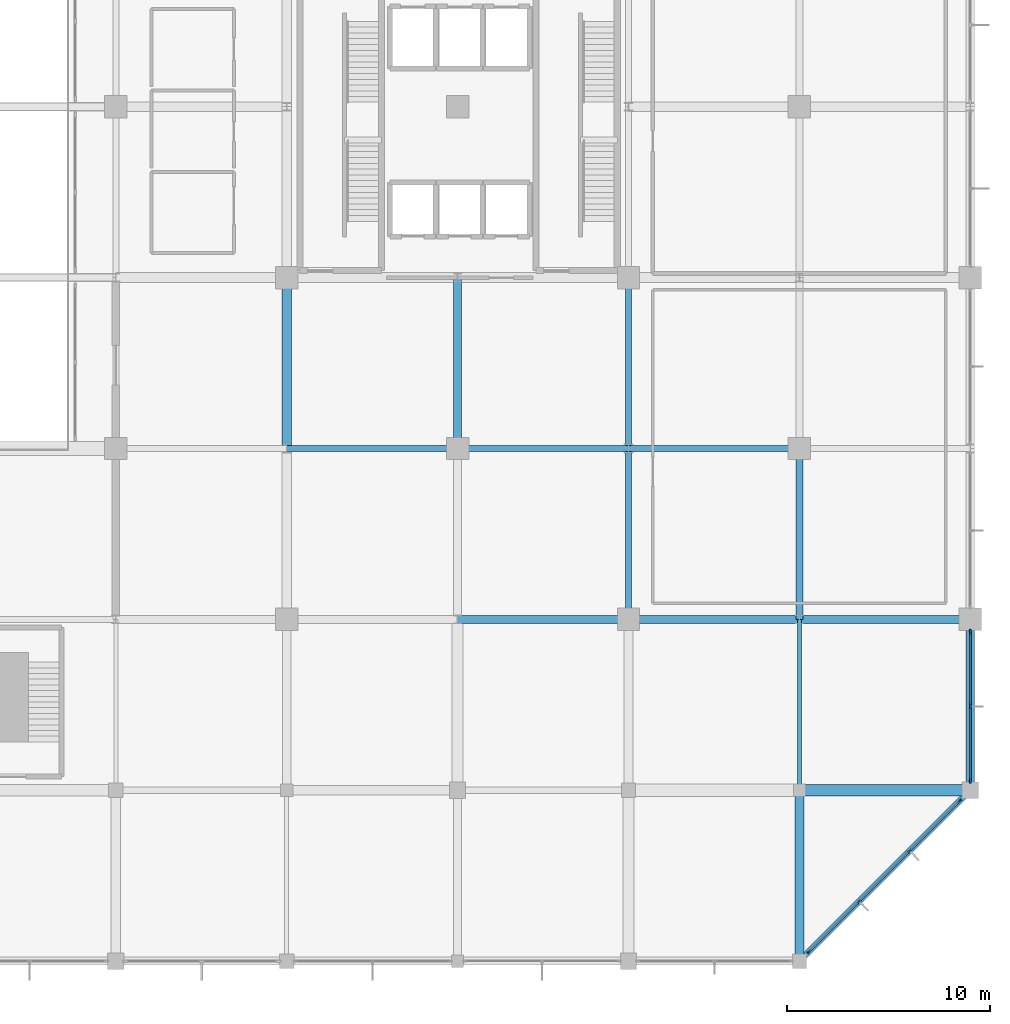
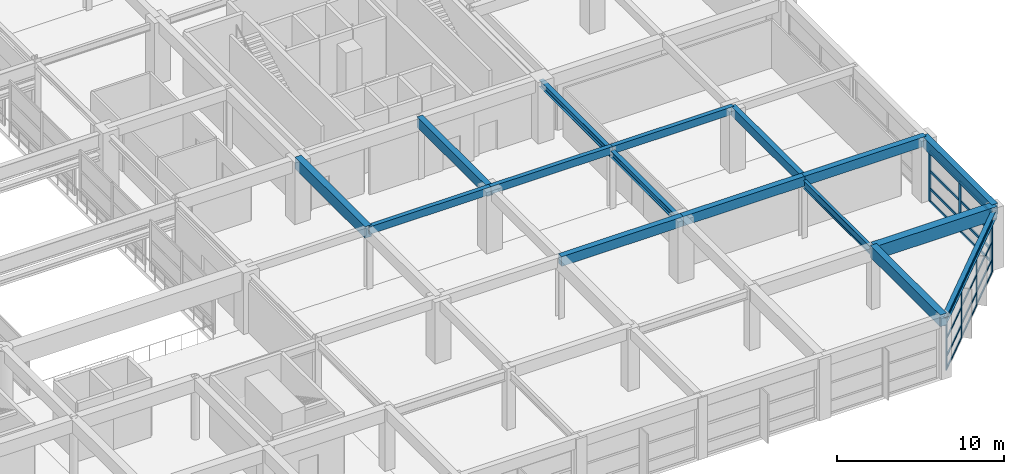
# One storey, part 35 of 62: 27 members, 16 beams, 2 elements without a shape of their own.
"""IFC4 building model written with IfcOpenShell, lengths in metres."""

from ifc_helpers import new_model, si_unit, direction, frame, origin, origin_2d, place, context, subcontext, project, spatial, rectangle, i_section, extrude, material, material_profile, profile_set, type_object, element, aggregate, save


model = new_model("IFC4")

# Units and contexts
model_context = context("Model", 3, precision=1e-05, world=origin(), true_north=direction((0.0, 1.0)))
body_context = subcontext(model_context, "Body", "Model", "MODEL_VIEW")
ifc_project = project(units=[si_unit("LENGTHUNIT", "METRE"), si_unit("AREAUNIT", "SQUARE_METRE"), si_unit("VOLUMEUNIT", "CUBIC_METRE"), si_unit("PLANEANGLEUNIT", "RADIAN"), si_unit("MASSUNIT", "GRAM", prefix="KILO")], contexts=[model_context])

# Site, building, storey
site_placement = place(None, origin())
site = spatial("IfcSite", under=ifc_project, at=site_placement, CompositionType="ELEMENT")
building_placement = place(site_placement, origin())
building = spatial("IfcBuilding", under=site, at=building_placement, Name="Xuanlan Plaza Opera House", CompositionType="ELEMENT")
storey_placement = place(building_placement, frame((0.0, 0.0, 14.39990234375)))
storey = spatial("IfcBuildingStorey", under=building, at=storey_placement, Name="L03", CompositionType="ELEMENT", Elevation=14.39990234375)

# Curtain wall, members
ifc_material_1 = material(Name="Anodised Aluminium 6063-T6 and Low-E Glass", Category="aluminium")
curtain_wall_type_1 = type_object("IfcCurtainWallType", Name="ENV-CW-CW-04", PredefinedType="USERDEFINED", material=ifc_material_1)
curtain_wall_1_placement = place(storey_placement, origin())
curtain_wall_1 = element("IfcCurtainWall", 1, at=curtain_wall_1_placement, inside=storey, type_object=curtain_wall_type_1, Name="Unitised Curtain Wall L03-019", ObjectType="UNITISED CURTAIN WALL", PredefinedType="USERDEFINED")
ifc_material_2 = material(Name="Anodised Aluminium 6063-T6", Category="aluminium")
ifc_material_profile_1 = material_profile(ifc_material_2, rectangle(XDim=0.080078125, YDim=0.219970703125, at=origin_2d()), Name="ALU-M 80x220")
ifc_profile_set_1 = profile_set([ifc_material_profile_1], Name="Anodised Aluminium 6063-T6")
member_type_1 = type_object("IfcMemberType", Name="ENV-CWM-04", PredefinedType="MULLION", material=ifc_profile_set_1)
member_1_placement = place(storey_placement, frame((160.077392578125, 17.27734375, 0.0), z_axis=(0.0, 0.0, 1.0), x_axis=(-0.707106781187, 0.707106781187, 0.0)))
member_1 = element("IfcMember", 2, at=member_1_placement, type_object=member_type_1, Name="CW-04 mullion 1", PredefinedType="MULLION", context=body_context, shape_type="SweptSolid", body=[
    extrude(rectangle(XDim=0.080078125, YDim=0.219970703125, at=origin_2d()), origin(), (0.0, 0.0, 1.0), 3.68017578125),
])
member_2_placement = place(storey_placement, frame((162.532958984375, 19.73291015625, 0.0), z_axis=(0.0, 0.0, 1.0), x_axis=(-0.707106781187, 0.707106781187, 0.0)))
member_2 = element("IfcMember", 3, at=member_2_placement, type_object=member_type_1, Name="CW-04 mullion 2", PredefinedType="MULLION", context=body_context, shape_type="SweptSolid", body=[
    extrude(rectangle(XDim=0.080078125, YDim=0.219970703125, at=origin_2d()), origin(), (0.0, 0.0, 1.0), 3.68017578125),
])
member_3_placement = place(storey_placement, frame((165.01708984375, 22.217041015625, 0.0), z_axis=(0.0, 0.0, 1.0), x_axis=(-0.707106781187, 0.707106781187, 0.0)))
member_3 = element("IfcMember", 4, at=member_3_placement, type_object=member_type_1, Name="CW-04 mullion 3", PredefinedType="MULLION", context=body_context, shape_type="SweptSolid", body=[
    extrude(rectangle(XDim=0.080078125, YDim=0.219970703125, at=origin_2d()), origin(), (0.0, 0.0, 1.0), 3.68017578125),
])
member_4_placement = place(storey_placement, frame((167.47265625, 24.672607421875, 0.0), z_axis=(0.0, 0.0, 1.0), x_axis=(-0.707106781187, 0.707106781187, 0.0)))
member_4 = element("IfcMember", 5, at=member_4_placement, type_object=member_type_1, Name="CW-04 mullion 4", PredefinedType="MULLION", context=body_context, shape_type="SweptSolid", body=[
    extrude(rectangle(XDim=0.080078125, YDim=0.219970703125, at=origin_2d()), origin(), (0.0, 0.0, 1.0), 3.68017578125),
])

curtain_wall_type_2 = type_object("IfcCurtainWallType", Name="ENV-CW-CW-01", PredefinedType="USERDEFINED", material=ifc_material_1)
curtain_wall_2_placement = place(storey_placement, origin())
curtain_wall_2 = element("IfcCurtainWall", 6, at=curtain_wall_2_placement, inside=storey, type_object=curtain_wall_type_2, Name="Unitised Curtain Wall L03-020", ObjectType="UNITISED CURTAIN WALL", PredefinedType="USERDEFINED")
ifc_material_profile_2 = material_profile(ifc_material_2, rectangle(XDim=0.090087890625, YDim=0.25, at=origin_2d()), Name="ALU-M 90x250")
ifc_profile_set_2 = profile_set([ifc_material_profile_2], Name="Anodised Aluminium 6063-T6")
member_type_2 = type_object("IfcMemberType", Name="ENV-CWM-05", PredefinedType="MULLION", material=ifc_profile_set_2)
member_5_placement = place(storey_placement, frame((168.0, 25.6650390625, 0.0), z_axis=(0.0, 0.0, 1.0), x_axis=(-1.0, 0.0, 0.0)))
member_5 = element("IfcMember", 7, at=member_5_placement, type_object=member_type_2, Name="CW-01 mullion 1", PredefinedType="MULLION", context=body_context, shape_type="SweptSolid", body=[
    extrude(rectangle(XDim=0.090087890625, YDim=0.25, at=origin_2d()), origin(), (0.0, 0.0, 1.0), 3.68017578125),
])
member_6_placement = place(storey_placement, frame((168.0, 29.324951171875, 0.0), z_axis=(0.0, 0.0, 1.0), x_axis=(-1.0, 0.0, 0.0)))
member_6 = element("IfcMember", 8, at=member_6_placement, type_object=member_type_2, Name="CW-01 mullion 2", PredefinedType="MULLION", context=body_context, shape_type="SweptSolid", body=[
    extrude(rectangle(XDim=0.090087890625, YDim=0.25, at=origin_2d()), origin(), (0.0, 0.0, 1.0), 3.68017578125),
])
member_7_placement = place(storey_placement, frame((168.0, 32.985107421875, 0.0), z_axis=(0.0, 0.0, 1.0), x_axis=(-1.0, 0.0, 0.0)))
member_7 = element("IfcMember", 9, at=member_7_placement, type_object=member_type_2, Name="CW-01 mullion 3", PredefinedType="MULLION", context=body_context, shape_type="SweptSolid", body=[
    extrude(rectangle(XDim=0.090087890625, YDim=0.25, at=origin_2d()), origin(), (0.0, 0.0, 1.0), 3.68017578125),
])

# Member
ifc_material_profile_3 = material_profile(ifc_material_2, rectangle(XDim=0.074951171875, YDim=0.14990234375, at=origin_2d()), Name="ALU-T 75x150")
ifc_profile_set_3 = profile_set([ifc_material_profile_3], Name="Anodised Aluminium 6063-T6")
member_type_3 = type_object("IfcMemberType", Name="ENV-CWT-03", PredefinedType="USERDEFINED", material=ifc_profile_set_3)
member_8_placement = place(storey_placement, frame((160.10546875, 17.3056640625, 0.03759765625), z_axis=(0.707106781187, 0.707106781187, 0.0), x_axis=(-0.707106781187, 0.707106781187, 0.0)))
member_8 = element("IfcMember", 10, at=member_8_placement, type_object=member_type_3, Name="CW-04 transom 1.1", ObjectType="TRANSOM", PredefinedType="USERDEFINED", context=body_context, shape_type="SweptSolid", body=[
    extrude(rectangle(XDim=0.074951171875, YDim=0.14990234375, at=origin_2d()), origin(), (0.0, 0.0, 1.0), 3.392822265625),
])

member_9_placement = place(storey_placement, frame((160.10546875, 17.3056640625, 0.9501953125), z_axis=(0.707106781187, 0.707106781187, 0.0), x_axis=(-0.707106781187, 0.707106781187, 0.0)))
member_9 = element("IfcMember", 11, at=member_9_placement, type_object=member_type_3, Name="CW-04 transom 1.2", ObjectType="TRANSOM", PredefinedType="USERDEFINED", context=body_context, shape_type="SweptSolid", body=[
    extrude(rectangle(XDim=0.074951171875, YDim=0.14990234375, at=origin_2d()), origin(), (0.0, 0.0, 1.0), 3.392822265625),
])

member_10_placement = place(storey_placement, frame((160.10546875, 17.3056640625, 2.25), z_axis=(0.707106781187, 0.707106781187, 0.0), x_axis=(-0.707106781187, 0.707106781187, 0.0)))
member_10 = element("IfcMember", 12, at=member_10_placement, type_object=member_type_3, Name="CW-04 transom 1.3", ObjectType="TRANSOM", PredefinedType="USERDEFINED", context=body_context, shape_type="SweptSolid", body=[
    extrude(rectangle(XDim=0.074951171875, YDim=0.14990234375, at=origin_2d()), origin(), (0.0, 0.0, 1.0), 3.392822265625),
])

member_11_placement = place(storey_placement, frame((160.10546875, 17.3056640625, 3.642578125), z_axis=(0.707106781187, 0.707106781187, 0.0), x_axis=(-0.707106781187, 0.707106781187, 0.0)))
member_11 = element("IfcMember", 13, at=member_11_placement, type_object=member_type_3, Name="CW-04 transom 1.4", ObjectType="TRANSOM", PredefinedType="USERDEFINED", context=body_context, shape_type="SweptSolid", body=[
    extrude(rectangle(XDim=0.074951171875, YDim=0.14990234375, at=origin_2d()), origin(), (0.0, 0.0, 1.0), 3.392822265625),
])

member_12_placement = place(storey_placement, frame((162.561279296875, 19.76123046875, 0.03759765625), z_axis=(0.707106781187, 0.707106781187, 0.0), x_axis=(-0.707106781187, 0.707106781187, 0.0)))
member_12 = element("IfcMember", 14, at=member_12_placement, type_object=member_type_3, Name="CW-04 transom 2.1", ObjectType="TRANSOM", PredefinedType="USERDEFINED", context=body_context, shape_type="SweptSolid", body=[
    extrude(rectangle(XDim=0.074951171875, YDim=0.14990234375, at=origin_2d()), origin(), (0.0, 0.0, 1.0), 3.43310546875),
])

member_13_placement = place(storey_placement, frame((162.561279296875, 19.76123046875, 0.9501953125), z_axis=(0.707106781187, 0.707106781187, 0.0), x_axis=(-0.707106781187, 0.707106781187, 0.0)))
member_13 = element("IfcMember", 15, at=member_13_placement, type_object=member_type_3, Name="CW-04 transom 2.2", ObjectType="TRANSOM", PredefinedType="USERDEFINED", context=body_context, shape_type="SweptSolid", body=[
    extrude(rectangle(XDim=0.074951171875, YDim=0.14990234375, at=origin_2d()), origin(), (0.0, 0.0, 1.0), 3.43310546875),
])

member_14_placement = place(storey_placement, frame((162.561279296875, 19.76123046875, 2.25), z_axis=(0.707106781187, 0.707106781187, 0.0), x_axis=(-0.707106781187, 0.707106781187, 0.0)))
member_14 = element("IfcMember", 16, at=member_14_placement, type_object=member_type_3, Name="CW-04 transom 2.3", ObjectType="TRANSOM", PredefinedType="USERDEFINED", context=body_context, shape_type="SweptSolid", body=[
    extrude(rectangle(XDim=0.074951171875, YDim=0.14990234375, at=origin_2d()), origin(), (0.0, 0.0, 1.0), 3.43310546875),
])

member_15_placement = place(storey_placement, frame((162.561279296875, 19.76123046875, 3.642578125), z_axis=(0.707106781187, 0.707106781187, 0.0), x_axis=(-0.707106781187, 0.707106781187, 0.0)))
member_15 = element("IfcMember", 17, at=member_15_placement, type_object=member_type_3, Name="CW-04 transom 2.4", ObjectType="TRANSOM", PredefinedType="USERDEFINED", context=body_context, shape_type="SweptSolid", body=[
    extrude(rectangle(XDim=0.074951171875, YDim=0.14990234375, at=origin_2d()), origin(), (0.0, 0.0, 1.0), 3.43310546875),
])

member_16_placement = place(storey_placement, frame((165.045166015625, 22.245361328125, 0.03759765625), z_axis=(0.707106781187, 0.707106781187, 0.0), x_axis=(-0.707106781187, 0.707106781187, 0.0)))
member_16 = element("IfcMember", 18, at=member_16_placement, type_object=member_type_3, Name="CW-04 transom 3.1", ObjectType="TRANSOM", PredefinedType="USERDEFINED", context=body_context, shape_type="SweptSolid", body=[
    extrude(rectangle(XDim=0.074951171875, YDim=0.14990234375, at=origin_2d()), origin(), (0.0, 0.0, 1.0), 3.392822265625),
])

member_17_placement = place(storey_placement, frame((165.045166015625, 22.245361328125, 0.9501953125), z_axis=(0.707106781187, 0.707106781187, 0.0), x_axis=(-0.707106781187, 0.707106781187, 0.0)))
member_17 = element("IfcMember", 19, at=member_17_placement, type_object=member_type_3, Name="CW-04 transom 3.2", ObjectType="TRANSOM", PredefinedType="USERDEFINED", context=body_context, shape_type="SweptSolid", body=[
    extrude(rectangle(XDim=0.074951171875, YDim=0.14990234375, at=origin_2d()), origin(), (0.0, 0.0, 1.0), 3.392822265625),
])

member_18_placement = place(storey_placement, frame((165.045166015625, 22.245361328125, 2.25), z_axis=(0.707106781187, 0.707106781187, 0.0), x_axis=(-0.707106781187, 0.707106781187, 0.0)))
member_18 = element("IfcMember", 20, at=member_18_placement, type_object=member_type_3, Name="CW-04 transom 3.3", ObjectType="TRANSOM", PredefinedType="USERDEFINED", context=body_context, shape_type="SweptSolid", body=[
    extrude(rectangle(XDim=0.074951171875, YDim=0.14990234375, at=origin_2d()), origin(), (0.0, 0.0, 1.0), 3.392822265625),
])

member_19_placement = place(storey_placement, frame((165.045166015625, 22.245361328125, 3.642578125), z_axis=(0.707106781187, 0.707106781187, 0.0), x_axis=(-0.707106781187, 0.707106781187, 0.0)))
member_19 = element("IfcMember", 21, at=member_19_placement, type_object=member_type_3, Name="CW-04 transom 3.4", ObjectType="TRANSOM", PredefinedType="USERDEFINED", context=body_context, shape_type="SweptSolid", body=[
    extrude(rectangle(XDim=0.074951171875, YDim=0.14990234375, at=origin_2d()), origin(), (0.0, 0.0, 1.0), 3.392822265625),
])

aggregate(curtain_wall_1, [member_1, member_2, member_3, member_4, member_8, member_9, member_10, member_11, member_12, member_13, member_14, member_15, member_16, member_17, member_18, member_19])

ifc_material_profile_4 = material_profile(ifc_material_2, rectangle(XDim=0.090087890625, YDim=0.179931640625, at=origin_2d()), Name="ALU-T 90x180")
ifc_profile_set_4 = profile_set([ifc_material_profile_4], Name="Anodised Aluminium 6063-T6")
member_type_4 = type_object("IfcMemberType", Name="ENV-CWT-05", PredefinedType="USERDEFINED", material=ifc_profile_set_4)
member_20_placement = place(storey_placement, frame((168.0, 25.7099609375, 0.045166015625), z_axis=(0.0, 1.0, 0.0), x_axis=(-1.0, 0.0, 0.0)))
member_20 = element("IfcMember", 22, at=member_20_placement, type_object=member_type_4, Name="CW-01 transom 1.1", ObjectType="TRANSOM", PredefinedType="USERDEFINED", context=body_context, shape_type="SweptSolid", body=[
    extrude(rectangle(XDim=0.090087890625, YDim=0.179931640625, at=origin_2d()), origin(), (0.0, 0.0, 1.0), 3.570068359375),
])

member_21_placement = place(storey_placement, frame((168.0, 25.7099609375, 0.9501953125), z_axis=(0.0, 1.0, 0.0), x_axis=(-1.0, 0.0, 0.0)))
member_21 = element("IfcMember", 23, at=member_21_placement, type_object=member_type_4, Name="CW-01 transom 1.2", ObjectType="TRANSOM", PredefinedType="USERDEFINED", context=body_context, shape_type="SweptSolid", body=[
    extrude(rectangle(XDim=0.090087890625, YDim=0.179931640625, at=origin_2d()), origin(), (0.0, 0.0, 1.0), 3.570068359375),
])

member_22_placement = place(storey_placement, frame((168.0, 25.7099609375, 2.25), z_axis=(0.0, 1.0, 0.0), x_axis=(-1.0, 0.0, 0.0)))
member_22 = element("IfcMember", 24, at=member_22_placement, type_object=member_type_4, Name="CW-01 transom 1.3", ObjectType="TRANSOM", PredefinedType="USERDEFINED", context=body_context, shape_type="SweptSolid", body=[
    extrude(rectangle(XDim=0.090087890625, YDim=0.179931640625, at=origin_2d()), origin(), (0.0, 0.0, 1.0), 3.570068359375),
])

member_23_placement = place(storey_placement, frame((168.0, 25.7099609375, 3.635009765625), z_axis=(0.0, 1.0, 0.0), x_axis=(-1.0, 0.0, 0.0)))
member_23 = element("IfcMember", 25, at=member_23_placement, type_object=member_type_4, Name="CW-01 transom 1.4", ObjectType="TRANSOM", PredefinedType="USERDEFINED", context=body_context, shape_type="SweptSolid", body=[
    extrude(rectangle(XDim=0.090087890625, YDim=0.179931640625, at=origin_2d()), origin(), (0.0, 0.0, 1.0), 3.570068359375),
])

member_24_placement = place(storey_placement, frame((168.0, 29.3701171875, 0.045166015625), z_axis=(0.0, 1.0, 0.0), x_axis=(-1.0, 0.0, 0.0)))
member_24 = element("IfcMember", 26, at=member_24_placement, type_object=member_type_4, Name="CW-01 transom 2.1", ObjectType="TRANSOM", PredefinedType="USERDEFINED", context=body_context, shape_type="SweptSolid", body=[
    extrude(rectangle(XDim=0.090087890625, YDim=0.179931640625, at=origin_2d()), origin(), (0.0, 0.0, 1.0), 3.56982421875),
])

member_25_placement = place(storey_placement, frame((168.0, 29.3701171875, 0.9501953125), z_axis=(0.0, 1.0, 0.0), x_axis=(-1.0, 0.0, 0.0)))
member_25 = element("IfcMember", 27, at=member_25_placement, type_object=member_type_4, Name="CW-01 transom 2.2", ObjectType="TRANSOM", PredefinedType="USERDEFINED", context=body_context, shape_type="SweptSolid", body=[
    extrude(rectangle(XDim=0.090087890625, YDim=0.179931640625, at=origin_2d()), origin(), (0.0, 0.0, 1.0), 3.56982421875),
])

member_26_placement = place(storey_placement, frame((168.0, 29.3701171875, 2.25), z_axis=(0.0, 1.0, 0.0), x_axis=(-1.0, 0.0, 0.0)))
member_26 = element("IfcMember", 28, at=member_26_placement, type_object=member_type_4, Name="CW-01 transom 2.3", ObjectType="TRANSOM", PredefinedType="USERDEFINED", context=body_context, shape_type="SweptSolid", body=[
    extrude(rectangle(XDim=0.090087890625, YDim=0.179931640625, at=origin_2d()), origin(), (0.0, 0.0, 1.0), 3.56982421875),
])

member_27_placement = place(storey_placement, frame((168.0, 29.3701171875, 3.635009765625), z_axis=(0.0, 1.0, 0.0), x_axis=(-1.0, 0.0, 0.0)))
member_27 = element("IfcMember", 29, at=member_27_placement, type_object=member_type_4, Name="CW-01 transom 2.4", ObjectType="TRANSOM", PredefinedType="USERDEFINED", context=body_context, shape_type="SweptSolid", body=[
    extrude(rectangle(XDim=0.090087890625, YDim=0.179931640625, at=origin_2d()), origin(), (0.0, 0.0, 1.0), 3.56982421875),
])

aggregate(curtain_wall_2, [member_5, member_6, member_7, member_20, member_21, member_22, member_23, member_24, member_25, member_26, member_27])

# Beams
ifc_material_3 = material(Name="Concrete C50", Category="concrete")
ifc_material_profile_5 = material_profile(ifc_material_3, rectangle(XDim=0.550048828125, YDim=0.949951171875, at=origin_2d()), Name="RC-BM 550x950")
ifc_profile_set_5 = profile_set([ifc_material_profile_5], Name="Concrete C50")
beam_type_1 = type_object("IfcBeamType", Name="STR-BM-B-02", PredefinedType="BEAM", material=ifc_profile_set_5)
beam_1_placement = place(storey_placement, frame((159.60009765625, 25.199951171875, 4.025146484375), z_axis=(1.0, 0.0, 0.0), x_axis=(0.0, 1.0, 0.0)))
element("IfcBeam", 30, at=beam_1_placement, inside=storey, type_object=beam_type_1, Name="Grid Beam X L03 20-21/D", PredefinedType="BEAM", context=body_context, shape_type="SweptSolid", body=[
    extrude(rectangle(XDim=0.550048828125, YDim=0.949951171875, at=origin_2d()), origin(), (0.0, 0.0, 1.0), 8.39990234375),
])
ifc_material_4 = material(Name="Concrete C40", Category="concrete")
ifc_material_profile_6 = material_profile(ifc_material_4, rectangle(XDim=0.449951171875, YDim=0.85009765625, at=origin_2d()), Name="RC-BM 450x850")
ifc_profile_set_6 = profile_set([ifc_material_profile_6], Name="Concrete C40")
beam_type_2 = type_object("IfcBeamType", Name="STR-BM-B-04", PredefinedType="BEAM", material=ifc_profile_set_6)
for number, where, z_axis, x_axis, name in (
    (31, (134.39990234375, 42.0, 4.0751953125), (0.0, 1.0, 0.0), (-1.0, 0.0, 0.0), "Grid Beam Y L03 17/F-G"),
    (32, (159.60009765625, 16.800048828125, 4.0751953125), (0.0, 1.0, 0.0), (-1.0, 0.0, 0.0), "Grid Beam Y L03 20/C-D"),
):
    element("IfcBeam", number, at=place(storey_placement, frame(where, z_axis=z_axis, x_axis=x_axis)), inside=storey, type_object=beam_type_2, Name=name, PredefinedType="BEAM", context=body_context, shape_type="SweptSolid", body=[
        extrude(rectangle(XDim=0.449951171875, YDim=0.85009765625, at=origin_2d()), origin(), (0.0, 0.0, 1.0), 8.39990234375),
    ])
ifc_material_profile_7 = material_profile(ifc_material_4, rectangle(XDim=0.39990234375, YDim=0.75, at=origin_2d()), Name="RC-BM 400x750")
ifc_profile_set_7 = profile_set([ifc_material_profile_7], Name="Concrete C40")
beam_type_3 = type_object("IfcBeamType", Name="STR-BM-B-06", PredefinedType="BEAM", material=ifc_profile_set_7)
beam_2_placement = place(storey_placement, frame((142.800048828125, 42.0, 4.125), z_axis=(0.0, 1.0, 0.0), x_axis=(-1.0, 0.0, 0.0)))
element("IfcBeam", 33, at=beam_2_placement, inside=storey, type_object=beam_type_3, Name="Grid Beam Y L03 18/F-G", PredefinedType="BEAM", context=body_context, shape_type="SweptSolid", body=[
    extrude(rectangle(XDim=0.39990234375, YDim=0.75, at=origin_2d()), origin(), (0.0, 0.0, 1.0), 8.39990234375),
])
ifc_material_profile_8 = material_profile(ifc_material_4, rectangle(XDim=0.39990234375, YDim=0.699951171875, at=origin_2d()), Name="RC-BM 400x700")
ifc_profile_set_8 = profile_set([ifc_material_profile_8], Name="Concrete C40")
beam_type_4 = type_object("IfcBeamType", Name="STR-BM-B-07", PredefinedType="BEAM", material=ifc_profile_set_8)
beam_3_placement = place(storey_placement, frame((142.800048828125, 33.60009765625, 4.150146484375), z_axis=(1.0, 0.0, 0.0), x_axis=(0.0, 1.0, 0.0)))
element("IfcBeam", 34, at=beam_3_placement, inside=storey, type_object=beam_type_4, Name="Grid Beam X L03 18-19/E", PredefinedType="BEAM", context=body_context, shape_type="SweptSolid", body=[
    extrude(rectangle(XDim=0.39990234375, YDim=0.699951171875, at=origin_2d()), origin(), (0.0, 0.0, 1.0), 8.39990234375),
])
beam_4_placement = place(storey_placement, frame((151.199951171875, 33.60009765625, 4.150146484375), z_axis=(1.0, 0.0, 0.0), x_axis=(0.0, 1.0, 0.0)))
element("IfcBeam", 35, at=beam_4_placement, inside=storey, type_object=beam_type_4, Name="Grid Beam X L03 19-20/E", PredefinedType="BEAM", context=body_context, shape_type="SweptSolid", body=[
    extrude(rectangle(XDim=0.39990234375, YDim=0.699951171875, at=origin_2d()), origin(), (0.0, 0.0, 1.0), 8.400146484375),
])
beam_5_placement = place(storey_placement, frame((159.60009765625, 33.60009765625, 4.150146484375), z_axis=(1.0, 0.0, 0.0), x_axis=(0.0, 1.0, 0.0)))
element("IfcBeam", 36, at=beam_5_placement, inside=storey, type_object=beam_type_4, Name="Grid Beam X L03 20-21/E", PredefinedType="BEAM", context=body_context, shape_type="SweptSolid", body=[
    extrude(rectangle(XDim=0.39990234375, YDim=0.699951171875, at=origin_2d()), origin(), (0.0, 0.0, 1.0), 8.39990234375),
])
ifc_material_profile_9 = material_profile(ifc_material_4, rectangle(XDim=0.35009765625, YDim=0.64990234375, at=origin_2d()), Name="RC-BM 350x650")
ifc_profile_set_9 = profile_set([ifc_material_profile_9], Name="Concrete C40")
beam_type_5 = type_object("IfcBeamType", Name="STR-BM-B-08", PredefinedType="BEAM", material=ifc_profile_set_9)
beam_6_placement = place(storey_placement, frame((159.60009765625, 33.60009765625, 4.175048828125), z_axis=(0.0, 1.0, 0.0), x_axis=(-1.0, 0.0, 0.0)))
element("IfcBeam", 37, at=beam_6_placement, inside=storey, type_object=beam_type_5, Name="Grid Beam Y L03 20/E-F", PredefinedType="BEAM", context=body_context, shape_type="SweptSolid", body=[
    extrude(rectangle(XDim=0.35009765625, YDim=0.64990234375, at=origin_2d()), origin(), (0.0, 0.0, 1.0), 8.39990234375),
])
ifc_material_profile_10 = material_profile(ifc_material_4, rectangle(XDim=0.300048828125, YDim=0.550048828125, at=origin_2d()), Name="RC-BM 300x550")
ifc_profile_set_10 = profile_set([ifc_material_profile_10], Name="Concrete C40")
beam_type_6 = type_object("IfcBeamType", Name="STR-BM-B-09", PredefinedType="BEAM", material=ifc_profile_set_10)
beam_7_placement = place(storey_placement, frame((134.39990234375, 42.0, 4.22509765625), z_axis=(1.0, 0.0, 0.0), x_axis=(0.0, 1.0, 0.0)))
element("IfcBeam", 38, at=beam_7_placement, inside=storey, type_object=beam_type_6, Name="Grid Beam X L03 17-18/F", PredefinedType="BEAM", context=body_context, shape_type="SweptSolid", body=[
    extrude(rectangle(XDim=0.300048828125, YDim=0.550048828125, at=origin_2d()), origin(), (0.0, 0.0, 1.0), 8.400146484375),
])
beam_8_placement = place(storey_placement, frame((142.800048828125, 42.0, 4.22509765625), z_axis=(1.0, 0.0, 0.0), x_axis=(0.0, 1.0, 0.0)))
element("IfcBeam", 39, at=beam_8_placement, inside=storey, type_object=beam_type_6, Name="Grid Beam X L03 18-19/F", PredefinedType="BEAM", context=body_context, shape_type="SweptSolid", body=[
    extrude(rectangle(XDim=0.300048828125, YDim=0.550048828125, at=origin_2d()), origin(), (0.0, 0.0, 1.0), 8.39990234375),
])
beam_9_placement = place(storey_placement, frame((151.199951171875, 42.0, 4.22509765625), z_axis=(1.0, 0.0, 0.0), x_axis=(0.0, 1.0, 0.0)))
element("IfcBeam", 40, at=beam_9_placement, inside=storey, type_object=beam_type_6, Name="Grid Beam X L03 19-20/F", PredefinedType="BEAM", context=body_context, shape_type="SweptSolid", body=[
    extrude(rectangle(XDim=0.300048828125, YDim=0.550048828125, at=origin_2d()), origin(), (0.0, 0.0, 1.0), 8.400146484375),
])
ifc_material_5 = material(Name="Steel Q355B", Category="steel")
ifc_material_profile_11 = material_profile(ifc_material_5, i_section(OverallWidth=0.199951171875, OverallDepth=0.60009765625, WebThickness=0.010986328125, FlangeThickness=0.01708984375, FilletRadius=0.02197265625, at=origin_2d()), Name="HN 600x200x11x17")
ifc_profile_set_11 = profile_set([ifc_material_profile_11], Name="Steel Q355B")
beam_type_7 = type_object("IfcBeamType", Name="STR-BM-SB-04", PredefinedType="BEAM", material=ifc_profile_set_11)
beam_10_placement = place(storey_placement, frame((159.60009765625, 25.199951171875, 3.93505859375), z_axis=(0.0, 1.0, 0.0), x_axis=(-1.0, 0.0, 0.0)))
element("IfcBeam", 41, at=beam_10_placement, inside=storey, type_object=beam_type_7, Name="Grid Beam Y L03 20/D-E", PredefinedType="BEAM", context=body_context, shape_type="SweptSolid", body=[
    extrude(i_section(OverallWidth=0.199951171875, OverallDepth=0.60009765625, WebThickness=0.010986328125, FlangeThickness=0.01708984375, FilletRadius=0.02197265625, at=origin_2d()), origin(), (0.0, 0.0, 1.0), 8.400146484375),
])
ifc_material_profile_12 = material_profile(ifc_material_5, i_section(OverallWidth=0.300048828125, OverallDepth=0.488037109375, WebThickness=0.010986328125, FlangeThickness=0.01806640625, FilletRadius=0.02197265625, at=origin_2d()), Name="HM 488x300x11x18")
ifc_profile_set_12 = profile_set([ifc_material_profile_12], Name="Steel Q355B")
beam_type_8 = type_object("IfcBeamType", Name="STR-BM-SB-07", PredefinedType="BEAM", material=ifc_profile_set_12)
for number, where, z_axis, x_axis, name in (
    (42, (151.199951171875, 33.60009765625, 3.9912109375), (0.0, 1.0, 0.0), (-1.0, 0.0, 0.0), "Grid Beam Y L03 19/E-F"),
    (43, (151.199951171875, 42.0, 3.9912109375), (0.0, 1.0, 0.0), (-1.0, 0.0, 0.0), "Grid Beam Y L03 19/F-G"),
):
    element("IfcBeam", number, at=place(storey_placement, frame(where, z_axis=z_axis, x_axis=x_axis)), inside=storey, type_object=beam_type_8, Name=name, PredefinedType="BEAM", context=body_context, shape_type="SweptSolid", body=[
        extrude(i_section(OverallWidth=0.300048828125, OverallDepth=0.488037109375, WebThickness=0.010986328125, FlangeThickness=0.01806640625, FilletRadius=0.02197265625, at=origin_2d()), origin(), (0.0, 0.0, 1.0), 8.39990234375),
    ])
ifc_material_profile_13 = material_profile(ifc_material_4, rectangle(XDim=0.39990234375, YDim=0.800048828125, at=origin_2d()), Name="RC-SPD 400x800")
ifc_profile_set_13 = profile_set([ifc_material_profile_13], Name="Concrete C40")
beam_type_9 = type_object("IfcBeamType", Name="STR-BM-SP-01", PredefinedType="SPANDREL", material=ifc_profile_set_13)
beam_11_placement = place(storey_placement, frame((168.0, 25.199951171875, 4.10009765625), z_axis=(0.0, 1.0, 0.0), x_axis=(-1.0, 0.0, 0.0)))
element("IfcBeam", 44, at=beam_11_placement, inside=storey, type_object=beam_type_9, Name="Grid Beam Y L03 21/D-E", PredefinedType="SPANDREL", context=body_context, shape_type="SweptSolid", body=[
    extrude(rectangle(XDim=0.39990234375, YDim=0.800048828125, at=origin_2d()), origin(), (0.0, 0.0, 1.0), 8.400146484375),
])
ifc_material_profile_14 = material_profile(ifc_material_5, i_section(OverallWidth=0.300048828125, OverallDepth=0.587890625, WebThickness=0.011962890625, FlangeThickness=0.02001953125, FilletRadius=0.02392578125, at=origin_2d()), Name="HM 588x300x12x20")
ifc_profile_set_14 = profile_set([ifc_material_profile_14], Name="Steel Q355B")
beam_type_10 = type_object("IfcBeamType", Name="STR-BM-SP-03", PredefinedType="SPANDREL", material=ifc_profile_set_14)
beam_12_placement = place(storey_placement, frame((168.0, 25.199951171875, 3.941162109375), z_axis=(-0.707106781187, -0.707106781187, 0.0), x_axis=(0.707106781187, -0.707106781187, 0.0)))
element("IfcBeam", 45, at=beam_12_placement, inside=storey, type_object=beam_type_10, Name="Faceted Edge Spandrel L03 CH11", PredefinedType="SPANDREL", context=body_context, shape_type="SweptSolid", body=[
    extrude(i_section(OverallWidth=0.300048828125, OverallDepth=0.587890625, WebThickness=0.011962890625, FlangeThickness=0.02001953125, FilletRadius=0.02392578125, at=origin_2d()), origin(), (0.0, 0.0, 1.0), 11.879150390625),
])

save(model, "model.ifc")
